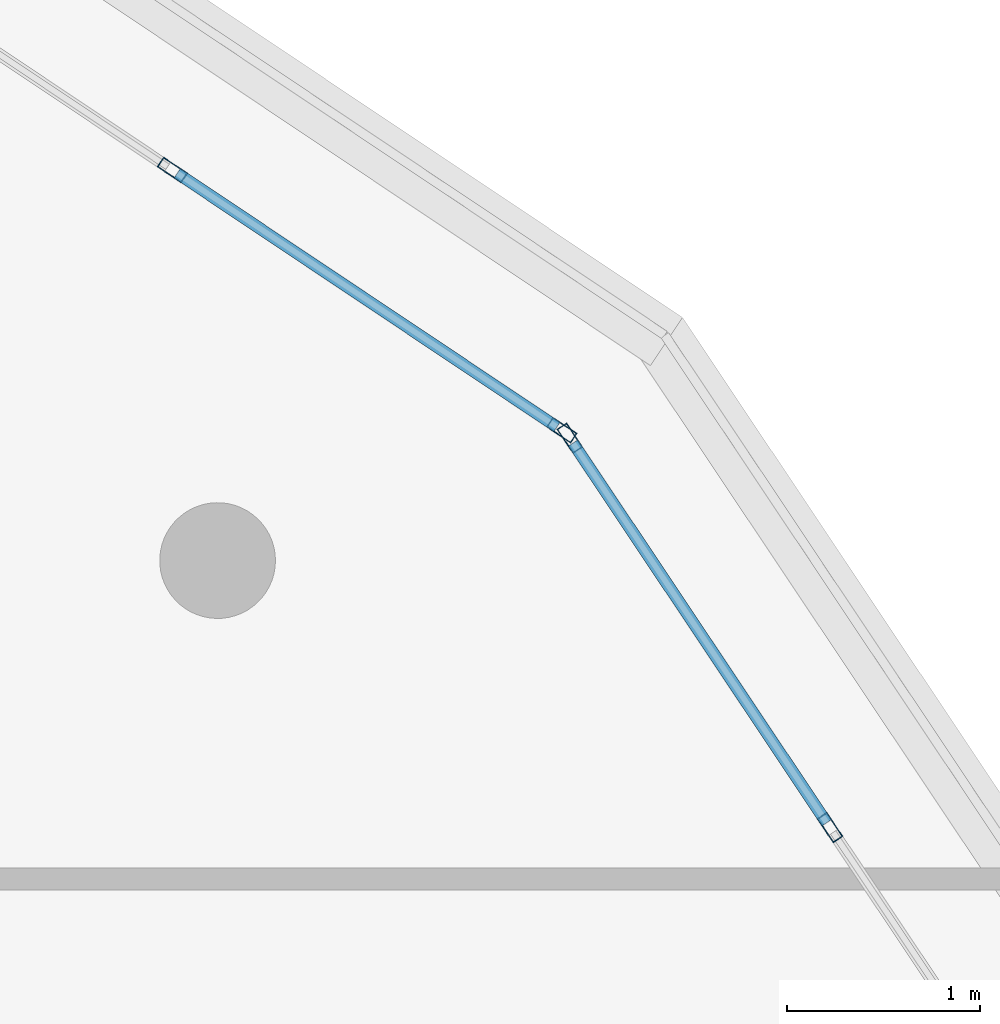
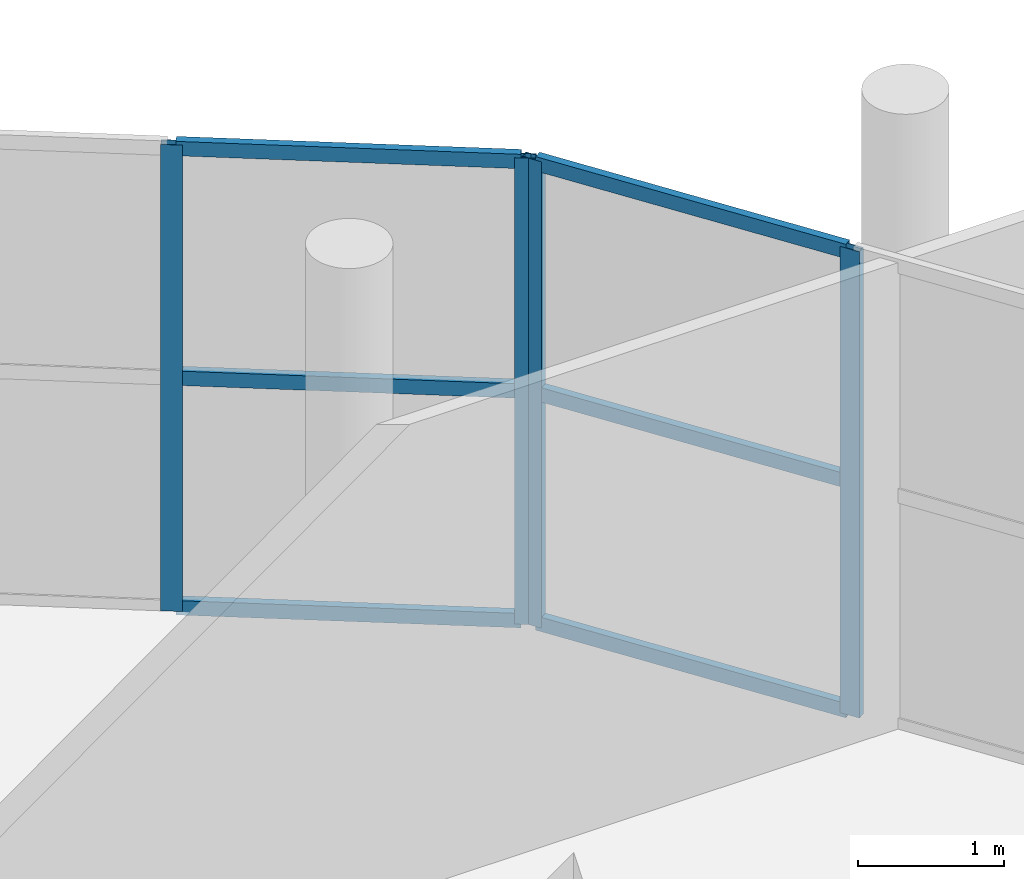
# One storey, part 34 of 57: 10 members, 2 elements without a shape of their own.
"""IFC4 building model written with IfcOpenShell, lengths in metres."""

from ifc_helpers import new_model, si_unit, direction, frame, origin, origin_2d, place, context, subcontext, project, spatial, hollow_rectangle, extrude, material, layer, layer_set, material_profile, profile_set, type_object, element, aggregate, save


model = new_model("IFC4")

# Units and contexts
model_context = context("Model", 3, precision=1e-05, world=origin(), true_north=direction((0.0, 1.0)))
body_context = subcontext(model_context, "Body", "Model", "MODEL_VIEW")
ifc_project = project(units=[si_unit("LENGTHUNIT", "METRE"), si_unit("AREAUNIT", "SQUARE_METRE"), si_unit("VOLUMEUNIT", "CUBIC_METRE"), si_unit("PLANEANGLEUNIT", "RADIAN"), si_unit("MASSUNIT", "GRAM", prefix="KILO")], contexts=[model_context])

# Site, building, storey
site_placement = place(None, origin())
site = spatial("IfcSite", under=ifc_project, at=site_placement, CompositionType="ELEMENT")
building_placement = place(site_placement, origin())
building = spatial("IfcBuilding", under=site, at=building_placement, Name="Zizhar Promenade General Hospital", CompositionType="ELEMENT")
storey_placement = place(building_placement, frame((0.0, 0.0, 22.199951171875)))
storey = spatial("IfcBuildingStorey", under=building, at=storey_placement, Name="L05", CompositionType="ELEMENT", Elevation=22.199951171875)

# Curtain wall, members
ifc_material_1 = material(Name="Anodised aluminium 6063-T6 and low-E glass", Category="aluminium")
ifc_layer = layer(ifc_material_1, 0.159912109375)
ifc_layer_set = layer_set([ifc_layer], Name="Anodised aluminium 6063-T6 and low-E glass")
curtain_wall_type = type_object("IfcCurtainWallType", Name="CW-WARD-ARC", PredefinedType="NOTDEFINED", material=ifc_layer_set)
curtain_wall_1_placement = place(storey_placement, origin())
curtain_wall_1 = element("IfcCurtainWall", 1, at=curtain_wall_1_placement, inside=storey, type_object=curtain_wall_type, Name="Ward Semicircular End Glazing L05-06", PredefinedType="NOTDEFINED")
ifc_material_2 = material(Name="Anodised aluminium 6063-T6", Category="aluminium")
ifc_material_profile_1 = material_profile(ifc_material_2, hollow_rectangle(XDim=0.06005859375, YDim=0.14990234375, WallThickness=0.00390625, at=origin_2d()))
ifc_profile_set_1 = profile_set([ifc_material_profile_1], Name="Anodised aluminium 6063-T6")
member_type_1 = type_object("IfcMemberType", Name="CWM-ALU-150x60", PredefinedType="MULLION", material=ifc_profile_set_1)
member_1_placement = place(storey_placement, frame((127.326171875, 21.484619140625, 0.0), z_axis=(0.0, 0.0, 1.0), x_axis=(0.831461514468, 0.555582352095, 0.0)))
member_1 = element("IfcMember", 2, at=member_1_placement, type_object=member_type_1, Name="CW-12 mullion 1", PredefinedType="MULLION", context=body_context, shape_type="SweptSolid", body=[
    extrude(hollow_rectangle(XDim=0.06005859375, YDim=0.14990234375, WallThickness=0.00390625, at=origin_2d()), origin(), (0.0, 0.0, 1.0), 3.900146484375),
])
member_2_placement = place(storey_placement, frame((128.67529296875, 19.465576171875, 0.0), z_axis=(0.0, 0.0, 1.0), x_axis=(0.831461514468, 0.555582352095, 0.0)))
member_2 = element("IfcMember", 3, at=member_2_placement, type_object=member_type_1, Name="CW-12 mullion 2", PredefinedType="MULLION", context=body_context, shape_type="SweptSolid", body=[
    extrude(hollow_rectangle(XDim=0.06005859375, YDim=0.14990234375, WallThickness=0.00390625, at=origin_2d()), origin(), (0.0, 0.0, 1.0), 3.900146484375),
])

curtain_wall_2_placement = place(storey_placement, origin())
curtain_wall_2 = element("IfcCurtainWall", 4, at=curtain_wall_2_placement, inside=storey, type_object=curtain_wall_type, Name="Ward Semicircular End Glazing L05-07", PredefinedType="NOTDEFINED")
member_3_placement = place(storey_placement, frame((125.265625, 22.875244140625, 0.0), z_axis=(0.0, 0.0, 1.0), x_axis=(0.555582352095, 0.831461514468, 0.0)))
member_3 = element("IfcMember", 5, at=member_3_placement, type_object=member_type_1, Name="CW-12 mullion 2", PredefinedType="MULLION", context=body_context, shape_type="SweptSolid", body=[
    extrude(hollow_rectangle(XDim=0.06005859375, YDim=0.14990234375, WallThickness=0.00390625, at=origin_2d()), origin(), (0.0, 0.0, 1.0), 3.900146484375),
])
member_4_placement = place(storey_placement, frame((127.28466796875, 21.526123046875, 0.0), z_axis=(0.0, 0.0, 1.0), x_axis=(0.555582352095, 0.831461514468, 0.0)))
member_4 = element("IfcMember", 6, at=member_4_placement, type_object=member_type_1, Name="CW-12 mullion 3", PredefinedType="MULLION", context=body_context, shape_type="SweptSolid", body=[
    extrude(hollow_rectangle(XDim=0.06005859375, YDim=0.14990234375, WallThickness=0.00390625, at=origin_2d()), origin(), (0.0, 0.0, 1.0), 3.900146484375),
])

# Member
ifc_material_3 = material(Name="Anodised aluminium 6063-T6", Category="aluminium")
ifc_material_profile_2 = material_profile(ifc_material_3, hollow_rectangle(XDim=0.06005859375, YDim=0.1201171875, WallThickness=0.00390625, at=origin_2d()))
ifc_profile_set_2 = profile_set([ifc_material_profile_2], Name="Anodised aluminium 6063-T6")
member_type_2 = type_object("IfcMemberType", Name="CWT-ALU-120x60", PredefinedType="USERDEFINED", material=ifc_profile_set_2)
member_5_placement = place(storey_placement, frame((127.3427734375, 21.459716796875, 0.030029296875), z_axis=(0.555532539312, -0.831494797197, 0.0), x_axis=(0.831494797197, 0.555532539312, 0.0)))
member_5 = element("IfcMember", 7, at=member_5_placement, type_object=member_type_2, Name="CW-12 transom 1.1", ObjectType="TRANSOM", PredefinedType="USERDEFINED", context=body_context, shape_type="SweptSolid", body=[
    extrude(hollow_rectangle(XDim=0.06005859375, YDim=0.1201171875, WallThickness=0.00390625, at=origin_2d()), origin(), (0.0, 0.0, 1.0), 2.368408203125),
])

member_6_placement = place(storey_placement, frame((127.3427734375, 21.459716796875, 1.949951171875), z_axis=(0.555532539312, -0.831494797197, 0.0), x_axis=(0.831494797197, 0.555532539312, 0.0)))
member_6 = element("IfcMember", 8, at=member_6_placement, type_object=member_type_2, Name="CW-12 transom 1.2", ObjectType="TRANSOM", PredefinedType="USERDEFINED", context=body_context, shape_type="SweptSolid", body=[
    extrude(hollow_rectangle(XDim=0.06005859375, YDim=0.1201171875, WallThickness=0.00390625, at=origin_2d()), origin(), (0.0, 0.0, 1.0), 2.368408203125),
])

member_7_placement = place(storey_placement, frame((127.3427734375, 21.459716796875, 3.8701171875), z_axis=(0.555532539312, -0.831494797197, 0.0), x_axis=(0.831494797197, 0.555532539312, 0.0)))
member_7 = element("IfcMember", 9, at=member_7_placement, type_object=member_type_2, Name="CW-12 transom 1.3", ObjectType="TRANSOM", PredefinedType="USERDEFINED", context=body_context, shape_type="SweptSolid", body=[
    extrude(hollow_rectangle(XDim=0.06005859375, YDim=0.1201171875, WallThickness=0.00390625, at=origin_2d()), origin(), (0.0, 0.0, 1.0), 2.368408203125),
])

aggregate(curtain_wall_1, [member_1, member_2, member_5, member_6, member_7])

member_8_placement = place(storey_placement, frame((125.29052734375, 22.858642578125, 0.030029296875), z_axis=(0.831415354375, -0.555651427164, 0.0), x_axis=(0.555651427164, 0.831415354375, 0.0)))
member_8 = element("IfcMember", 10, at=member_8_placement, type_object=member_type_2, Name="CW-12 transom 2.1", ObjectType="TRANSOM", PredefinedType="USERDEFINED", context=body_context, shape_type="SweptSolid", body=[
    extrude(hollow_rectangle(XDim=0.06005859375, YDim=0.1201171875, WallThickness=0.00390625, at=origin_2d()), origin(), (0.0, 0.0, 1.0), 2.3681640625),
])

member_9_placement = place(storey_placement, frame((125.29052734375, 22.858642578125, 1.949951171875), z_axis=(0.831415354375, -0.555651427164, 0.0), x_axis=(0.555651427164, 0.831415354375, 0.0)))
member_9 = element("IfcMember", 11, at=member_9_placement, type_object=member_type_2, Name="CW-12 transom 2.2", ObjectType="TRANSOM", PredefinedType="USERDEFINED", context=body_context, shape_type="SweptSolid", body=[
    extrude(hollow_rectangle(XDim=0.06005859375, YDim=0.1201171875, WallThickness=0.00390625, at=origin_2d()), origin(), (0.0, 0.0, 1.0), 2.3681640625),
])

member_10_placement = place(storey_placement, frame((125.29052734375, 22.858642578125, 3.8701171875), z_axis=(0.831415354375, -0.555651427164, 0.0), x_axis=(0.555651427164, 0.831415354375, 0.0)))
member_10 = element("IfcMember", 12, at=member_10_placement, type_object=member_type_2, Name="CW-12 transom 2.3", ObjectType="TRANSOM", PredefinedType="USERDEFINED", context=body_context, shape_type="SweptSolid", body=[
    extrude(hollow_rectangle(XDim=0.06005859375, YDim=0.1201171875, WallThickness=0.00390625, at=origin_2d()), origin(), (0.0, 0.0, 1.0), 2.3681640625),
])

aggregate(curtain_wall_2, [member_3, member_4, member_8, member_9, member_10])

save(model, "model.ifc")
